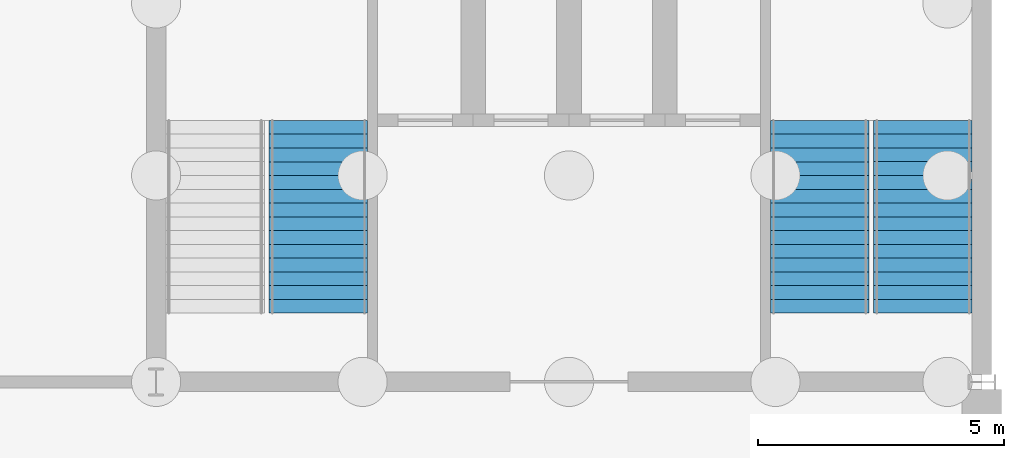
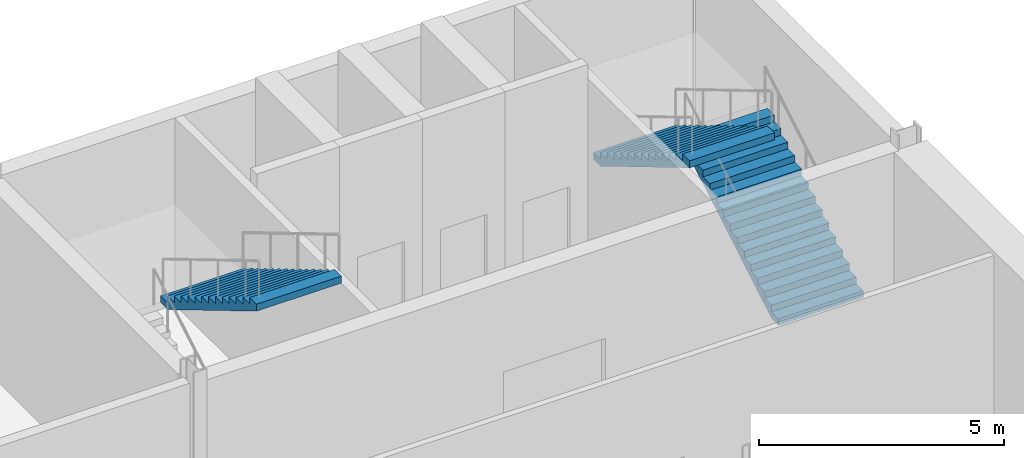
# One storey, part 21 of 22: 3 stair flights, 2 elements without a shape of their own.
"""IFC4 building model written with IfcOpenShell, lengths in metres."""

from ifc_helpers import new_model, si_unit, direction, frame, origin, place, context, subcontext, project, spatial, polyline, outline, extrude, material, type_object, element, aggregate, save


model = new_model("IFC4")

# Units and contexts
model_context = context("Model", 3, precision=1e-05, world=origin(), true_north=direction((0.0, 1.0)))
body_context = subcontext(model_context, "Body", "Model", "MODEL_VIEW")
ifc_project = project(units=[si_unit("LENGTHUNIT", "METRE"), si_unit("AREAUNIT", "SQUARE_METRE"), si_unit("VOLUMEUNIT", "CUBIC_METRE"), si_unit("PLANEANGLEUNIT", "RADIAN"), si_unit("MASSUNIT", "GRAM", prefix="KILO")], contexts=[model_context])

# Site, building, storey
site_placement = place(None, origin())
site = spatial("IfcSite", under=ifc_project, at=site_placement, CompositionType="ELEMENT")
building_placement = place(site_placement, origin())
building = spatial("IfcBuilding", under=site, at=building_placement, Name="Galleria Vessillo Department Store", CompositionType="ELEMENT")
storey_placement = place(building_placement, frame((0.0, 0.0, -9.89990234375)))
storey = spatial("IfcBuildingStorey", under=building, at=storey_placement, Name="B2", CompositionType="ELEMENT", Elevation=-9.89990234375)

# Stair, stair flight
ifc_material_1 = material(Name="Concrete C32/40", Category="concrete")
stair_type = type_object("IfcStairType", Name="Half-turn escape stair 2000 mm, 30 risers of 167 mm", PredefinedType="HALF_TURN_STAIR", material=ifc_material_1)
stair_1_placement = place(storey_placement, origin())
stair_1 = element("IfcStair", 1, at=stair_1_placement, inside=storey, type_object=stair_type, Name="Stair ST8 B2", PredefinedType="HALF_TURN_STAIR")
ifc_material_2 = material(Name="Concrete C32/40", Category="concrete")
stair_flight_type = type_object("IfcStairFlightType", Name="Stair flight 2000 mm, 15 risers of 167 mm", PredefinedType="STRAIGHT", material=ifc_material_2)
stair_flight_1_placement = place(storey_placement, frame((104.10009765625, 59.91943359375, 2.5), z_axis=(0.0, 0.0, 1.0), x_axis=(0.0, -1.0, 0.0)))
stair_flight_1 = element("IfcStairFlight", 2, at=stair_flight_1_placement, type_object=stair_flight_type, Name="ST8 flight 2", NumberOfRisers=15, NumberOfTreads=14, PredefinedType="STRAIGHT", RiserHeight=0.166666667, TreadLength=0.28, context=body_context, shape_type="SweptSolid", body=[
    extrude(outline(polyline([(0.0, 0.0), (0.0, 0.166748046875), (0.280029296875, 0.166748046875), (0.280029296875, 0.333251953125), (0.56005859375, 0.333251953125), (0.56005859375, 0.5), (0.840087890625, 0.5), (0.840087890625, 0.666748046875), (1.1201171875, 0.666748046875), (1.1201171875, 0.833251953125), (1.39990234375, 0.833251953125), (1.39990234375, 1.0), (1.679931640625, 1.0), (1.679931640625, 1.166748046875), (1.9599609375, 1.166748046875), (1.9599609375, 1.333251953125), (2.239990234375, 1.333251953125), (2.239990234375, 1.5), (2.52001953125, 1.5), (2.52001953125, 1.666748046875), (2.800048828125, 1.666748046875), (2.800048828125, 1.833251953125), (3.080078125, 1.833251953125), (3.080078125, 2.0), (3.360107421875, 2.0), (3.360107421875, 2.166748046875), (3.639892578125, 2.166748046875), (3.639892578125, 2.333251953125), (3.919921875, 2.333251953125), (3.919921875, 2.5), (3.919921875, 2.158935546875), (0.29296875, 0.0), (0.0, 0.0)])), frame((0.0, 1.0, 0.0), z_axis=(0.0, -1.0, 0.0), x_axis=(1.0, 0.0, 0.0)), (0.0, 0.0, 1.0), 2.0),
])
aggregate(stair_1, [stair_flight_1])

# Stair, stair flights
stair_2_placement = place(storey_placement, origin())
stair_2 = element("IfcStair", 3, at=stair_2_placement, inside=storey, type_object=stair_type, Name="Stair ST9 B2", PredefinedType="HALF_TURN_STAIR")
stair_flight_2_placement = place(storey_placement, frame((116.39990234375, 55.99951171875, 0.0), z_axis=(0.0, 0.0, 1.0), x_axis=(0.0, 1.0, 0.0)))
stair_flight_2 = element("IfcStairFlight", 4, at=stair_flight_2_placement, type_object=stair_flight_type, Name="ST9 flight 1", NumberOfRisers=15, NumberOfTreads=14, PredefinedType="STRAIGHT", RiserHeight=0.166666667, TreadLength=0.28, context=body_context, shape_type="SweptSolid", body=[
    extrude(outline(polyline([(0.0, 0.0), (0.0, 0.166748046875), (0.280029296875, 0.166748046875), (0.280029296875, 0.333251953125), (0.56005859375, 0.333251953125), (0.56005859375, 0.5), (0.840087890625, 0.5), (0.840087890625, 0.666748046875), (1.1201171875, 0.666748046875), (1.1201171875, 0.833251953125), (1.39990234375, 0.833251953125), (1.39990234375, 1.0), (1.679931640625, 1.0), (1.679931640625, 1.166748046875), (1.9599609375, 1.166748046875), (1.9599609375, 1.333251953125), (2.239990234375, 1.333251953125), (2.239990234375, 1.5), (2.52001953125, 1.5), (2.52001953125, 1.666748046875), (2.800048828125, 1.666748046875), (2.800048828125, 1.833251953125), (3.080078125, 1.833251953125), (3.080078125, 2.0), (3.360107421875, 2.0), (3.360107421875, 2.166748046875), (3.639892578125, 2.166748046875), (3.639892578125, 2.333251953125), (3.919921875, 2.333251953125), (3.919921875, 2.5), (3.919921875, 2.158935546875), (0.29296875, 0.0), (0.0, 0.0)])), frame((0.0, 1.0, 0.0), z_axis=(0.0, -1.0, 0.0), x_axis=(1.0, 0.0, 0.0)), (0.0, 0.0, 1.0), 2.0),
])
stair_flight_3_placement = place(storey_placement, frame((114.300048828125, 59.91943359375, 2.5), z_axis=(0.0, 0.0, 1.0), x_axis=(0.0, -1.0, 0.0)))
stair_flight_3 = element("IfcStairFlight", 5, at=stair_flight_3_placement, type_object=stair_flight_type, Name="ST9 flight 2", NumberOfRisers=15, NumberOfTreads=14, PredefinedType="STRAIGHT", RiserHeight=0.166666667, TreadLength=0.28, context=body_context, shape_type="SweptSolid", body=[
    extrude(outline(polyline([(0.0, 0.0), (0.0, 0.166748046875), (0.280029296875, 0.166748046875), (0.280029296875, 0.333251953125), (0.56005859375, 0.333251953125), (0.56005859375, 0.5), (0.840087890625, 0.5), (0.840087890625, 0.666748046875), (1.1201171875, 0.666748046875), (1.1201171875, 0.833251953125), (1.39990234375, 0.833251953125), (1.39990234375, 1.0), (1.679931640625, 1.0), (1.679931640625, 1.166748046875), (1.9599609375, 1.166748046875), (1.9599609375, 1.333251953125), (2.239990234375, 1.333251953125), (2.239990234375, 1.5), (2.52001953125, 1.5), (2.52001953125, 1.666748046875), (2.800048828125, 1.666748046875), (2.800048828125, 1.833251953125), (3.080078125, 1.833251953125), (3.080078125, 2.0), (3.360107421875, 2.0), (3.360107421875, 2.166748046875), (3.639892578125, 2.166748046875), (3.639892578125, 2.333251953125), (3.919921875, 2.333251953125), (3.919921875, 2.5), (3.919921875, 2.158935546875), (0.29296875, 0.0), (0.0, 0.0)])), frame((0.0, 1.0, 0.0), z_axis=(0.0, -1.0, 0.0), x_axis=(1.0, 0.0, 0.0)), (0.0, 0.0, 1.0), 2.0),
])
aggregate(stair_2, [stair_flight_2, stair_flight_3])

save(model, "model.ifc")
